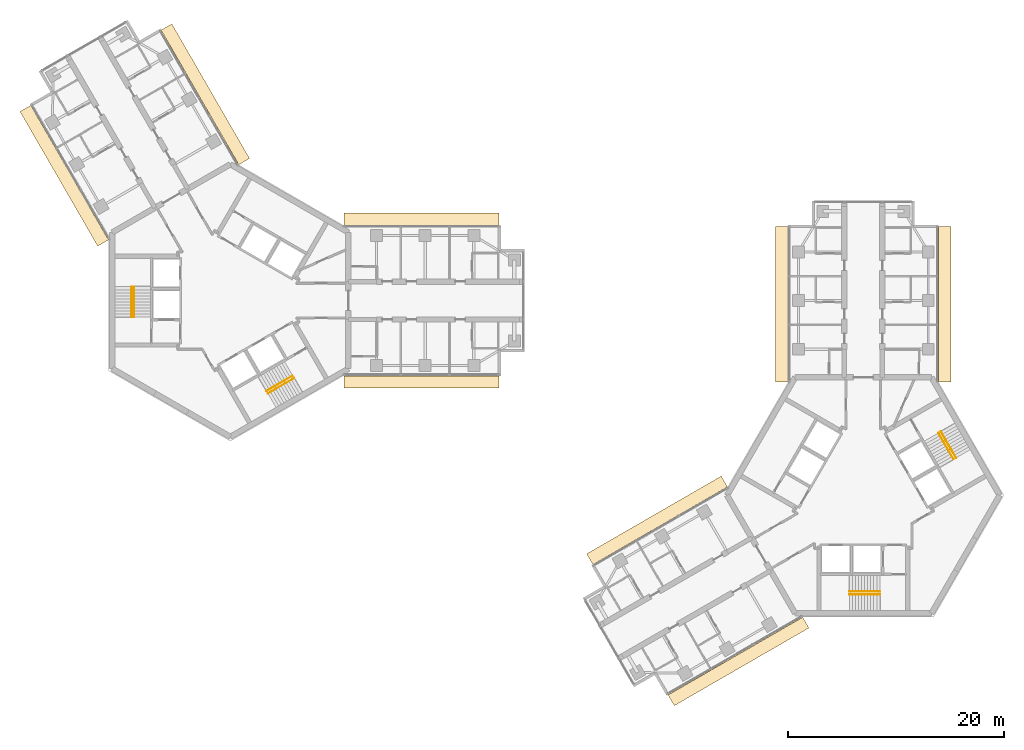
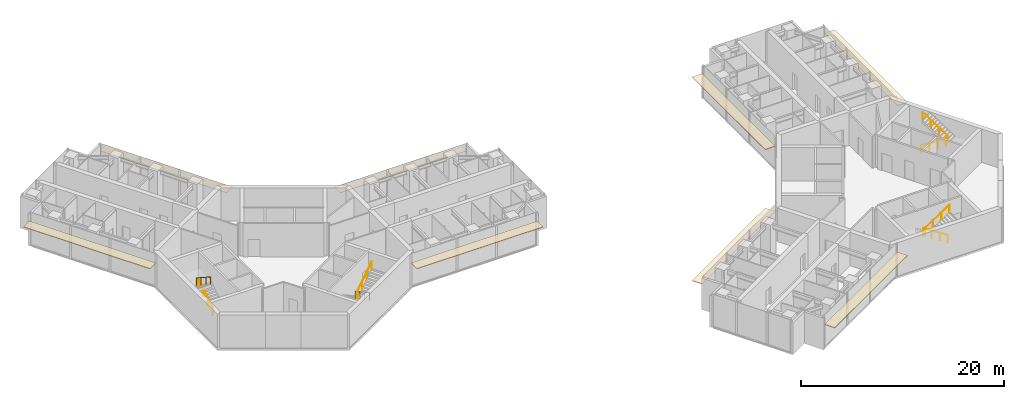
# One storey, part 18 of 18: 8 coverings, 8 railings.
"""IFC4 building model written with IfcOpenShell, lengths in metres."""

from ifc_helpers import new_model, si_unit, direction, frame, origin, origin_2d, place, context, subcontext, project, spatial, rectangle, circle, extrude, material, layer, layer_set, type_object, element, save


model = new_model("IFC4")

# Units and contexts
model_context = context("Model", 3, precision=1e-05, world=origin(), true_north=direction((0.0, 1.0)))
body_context = subcontext(model_context, "Body", "Model", "MODEL_VIEW")
ifc_project = project(units=[si_unit("LENGTHUNIT", "METRE"), si_unit("AREAUNIT", "SQUARE_METRE"), si_unit("VOLUMEUNIT", "CUBIC_METRE"), si_unit("PLANEANGLEUNIT", "RADIAN"), si_unit("MASSUNIT", "GRAM", prefix="KILO")], contexts=[model_context])

# Site, building, storey
site_placement = place(None, origin())
site = spatial("IfcSite", under=ifc_project, at=site_placement, CompositionType="ELEMENT")
building_placement = place(site_placement, origin())
building = spatial("IfcBuilding", under=site, at=building_placement, Name="Upepo Twin Towers", CompositionType="ELEMENT")
storey_placement = place(building_placement, frame((0.0, 0.0, 222.5)))
storey = spatial("IfcBuildingStorey", under=building, at=storey_placement, Name="L54", CompositionType="ELEMENT", Elevation=222.5)

# Coverings
ifc_material_1 = material(Name="Anodised aluminium, pale silver", Category="aluminium")
ifc_layer = layer(ifc_material_1, 0.080078125)
ifc_layer_set = layer_set([ifc_layer], Name="Brise-soleil blade 1150 pale aluminium")
covering_type = type_object("IfcCoveringType", Name="Brise-soleil blade 1150 pale aluminium", PredefinedType="USERDEFINED", material=ifc_layer_set)
for number, where, z_axis, x_axis, name in (
    (1, (17.66845703125, 7.527587890625, 2.909912109375), (0.0, 0.0, 1.0), (1.0, 0.0, 0.0), "T1 L54 wing A brise-soleil L"),
    (2, (17.66845703125, -7.527587890625, 2.909912109375), (0.0, 0.0, 1.0), (1.0, 0.0, 0.0), "T1 L54 wing A brise-soleil R"),
    (3, (-15.353271484375, 11.53759765625, 2.909912109375), (0.0, 0.0, 1.0), (-0.50000003023, 0.866025386331, 0.0), "T1 L54 wing B brise-soleil L"),
    (4, (-2.315185546875, 19.065185546875, 2.909912109375), (0.0, 0.0, 1.0), (-0.50000003023, 0.866025386331, 0.0), "T1 L54 wing B brise-soleil R"),
    (5, (50.972412109375, -0.33154296875, 2.909912109375), (0.0, 0.0, 1.0), (0.0, 1.0, 0.0), "T2 L54 wing A brise-soleil L"),
    (6, (66.027587890625, -0.33154296875, 2.909912109375), (0.0, 0.0, 1.0), (0.0, 1.0, 0.0), "T2 L54 wing A brise-soleil R"),
    (7, (46.96240234375, -33.353271484375, 2.909912109375), (0.0, 0.0, 1.0), (-0.866025386331, -0.50000003023, 0.0), "T2 L54 wing B brise-soleil L"),
    (8, (39.434814453125, -20.315185546875, 2.909912109375), (0.0, 0.0, 1.0), (-0.866025386331, -0.50000003023, 0.0), "T2 L54 wing B brise-soleil R"),
):
    element("IfcCovering", number, at=place(storey_placement, frame(where, z_axis=z_axis, x_axis=x_axis)), inside=storey, type_object=covering_type, Name=name, ObjectType="SUNSHADE", PredefinedType="USERDEFINED", context=body_context, shape_type="SweptSolid", body=[
        extrude(rectangle(XDim=14.36279296875, YDim=1.14990234375, at=origin_2d()), origin(), (0.0, 0.0, 1.0), 0.080078125),
    ])

# Railings
ifc_material_2 = material(Name="Stainless steel", Category="steel")
railing_type = type_object("IfcRailingType", Name="Stair handrail 900", PredefinedType="HANDRAIL", material=ifc_material_2)
railing_1_placement = place(storey_placement, frame((-8.89990234375, -1.52001953125, 0.181884765625)))
element("IfcRailing", 9, at=railing_1_placement, inside=storey, type_object=railing_type, Name="T1 stair S1 L54 handrail 1", PredefinedType="HANDRAIL", context=body_context, shape_type="SweptSolid", body=[
    extrude(circle(Radius=0.02392578125, at=origin_2d()), frame((0.0, 0.0, 0.8759765625), z_axis=(0.0, 0.838705829183, 0.544584733623), x_axis=(-1.0, 0.0, 0.0)), (0.0, 0.0, 1.0), 3.338623046875),
    extrude(circle(Radius=0.02099609375, at=origin_2d()), origin(), (0.0, 0.0, 1.0), 0.851806640625),
    extrude(circle(Radius=0.02099609375, at=origin_2d()), frame((0.0, 0.933349609375, 0.60595703125)), (0.0, 0.0, 1.0), 0.851806640625),
    extrude(circle(Radius=0.02099609375, at=origin_2d()), frame((0.0, 1.86669921875, 1.212158203125)), (0.0, 0.0, 1.0), 0.851806640625),
    extrude(circle(Radius=0.02099609375, at=origin_2d()), frame((0.0, 2.800048828125, 1.818115234375)), (0.0, 0.0, 1.0), 0.851806640625),
])
railing_2_placement = place(storey_placement, frame((-9.158447265625, 1.280029296875, 2.181884765625)))
element("IfcRailing", 10, at=railing_2_placement, inside=storey, type_object=railing_type, Name="T1 stair S1 L54 handrail 2", PredefinedType="HANDRAIL", context=body_context, shape_type="SweptSolid", body=[
    extrude(circle(Radius=0.02392578125, at=origin_2d()), frame((0.0, 0.0, 0.8759765625), z_axis=(0.0, -0.838705829183, 0.544584733623), x_axis=(1.0, 0.0, 0.0)), (0.0, 0.0, 1.0), 3.338623046875),
    extrude(circle(Radius=0.02099609375, at=origin_2d()), origin(), (0.0, 0.0, 1.0), 0.851806640625),
    extrude(circle(Radius=0.02099609375, at=origin_2d()), frame((0.0, -0.933349609375, 0.60595703125)), (0.0, 0.0, 1.0), 0.851806640625),
    extrude(circle(Radius=0.02099609375, at=origin_2d()), frame((0.0, -1.86669921875, 1.212158203125)), (0.0, 0.0, 1.0), 0.851806640625),
    extrude(circle(Radius=0.02099609375, at=origin_2d()), frame((0.0, -2.800048828125, 1.818115234375)), (0.0, 0.0, 1.0), 0.851806640625),
])
railing_3_placement = place(storey_placement, frame((5.766357421875, -6.947509765625, 0.181884765625)))
element("IfcRailing", 11, at=railing_3_placement, inside=storey, type_object=railing_type, Name="T1 stair S2 L54 handrail 1", PredefinedType="HANDRAIL", context=body_context, shape_type="SweptSolid", body=[
    extrude(circle(Radius=0.02392578125, at=origin_2d()), frame((0.0, 0.0, 0.8759765625), z_axis=(-0.726314030065, -0.419392968428, 0.544589265193), x_axis=(0.500049511043, -0.865996816683, 0.0)), (0.0, 0.0, 1.0), 3.338623046875),
    extrude(circle(Radius=0.02099609375, at=origin_2d()), origin(), (0.0, 0.0, 1.0), 0.851806640625),
    extrude(circle(Radius=0.02099609375, at=origin_2d()), frame((-0.808349609375, -0.466796875, 0.60595703125)), (0.0, 0.0, 1.0), 0.851806640625),
    extrude(circle(Radius=0.02099609375, at=origin_2d()), frame((-1.616455078125, -0.933349609375, 1.212158203125)), (0.0, 0.0, 1.0), 0.851806640625),
    extrude(circle(Radius=0.02099609375, at=origin_2d()), frame((-2.4248046875, -1.400146484375, 1.818115234375)), (0.0, 0.0, 1.0), 0.851806640625),
])
railing_4_placement = place(storey_placement, frame((3.470703125, -8.5712890625, 2.181884765625)))
element("IfcRailing", 12, at=railing_4_placement, inside=storey, type_object=railing_type, Name="T1 stair S2 L54 handrail 2", PredefinedType="HANDRAIL", context=body_context, shape_type="SweptSolid", body=[
    extrude(circle(Radius=0.02392578125, at=origin_2d()), frame((0.0, 0.0, 0.8759765625), z_axis=(0.726336304947, 0.419332699614, 0.544605966869), x_axis=(-0.49998411664, 0.866034573852, 0.0)), (0.0, 0.0, 1.0), 3.33837890625),
    extrude(circle(Radius=0.02099609375, at=origin_2d()), origin(), (0.0, 0.0, 1.0), 0.851806640625),
    extrude(circle(Radius=0.02099609375, at=origin_2d()), frame((0.808349609375, 0.466552734375, 0.60595703125)), (0.0, 0.0, 1.0), 0.851806640625),
    extrude(circle(Radius=0.02099609375, at=origin_2d()), frame((1.616455078125, 0.933349609375, 1.212158203125)), (0.0, 0.0, 1.0), 0.851806640625),
    extrude(circle(Radius=0.02099609375, at=origin_2d()), frame((2.4248046875, 1.39990234375, 1.818115234375)), (0.0, 0.0, 1.0), 0.851806640625),
])
railing_5_placement = place(storey_placement, frame((60.02001953125, -26.89990234375, 0.181884765625)))
element("IfcRailing", 13, at=railing_5_placement, inside=storey, type_object=railing_type, Name="T2 stair S1 L54 handrail 1", PredefinedType="HANDRAIL", context=body_context, shape_type="SweptSolid", body=[
    extrude(circle(Radius=0.02392578125, at=origin_2d()), frame((0.0, 0.0, 0.8759765625), z_axis=(-0.838705829183, 0.0, 0.544584733623), x_axis=(0.0, -1.0, 0.0)), (0.0, 0.0, 1.0), 3.338623046875),
    extrude(circle(Radius=0.02099609375, at=origin_2d()), origin(), (0.0, 0.0, 1.0), 0.851806640625),
    extrude(circle(Radius=0.02099609375, at=origin_2d()), frame((-0.933349609375, 0.0, 0.60595703125)), (0.0, 0.0, 1.0), 0.851806640625),
    extrude(circle(Radius=0.02099609375, at=origin_2d()), frame((-1.86669921875, 0.0, 1.212158203125)), (0.0, 0.0, 1.0), 0.851806640625),
    extrude(circle(Radius=0.02099609375, at=origin_2d()), frame((-2.800048828125, 0.0, 1.818115234375)), (0.0, 0.0, 1.0), 0.851806640625),
])
railing_6_placement = place(storey_placement, frame((57.219970703125, -27.158447265625, 2.181884765625)))
element("IfcRailing", 14, at=railing_6_placement, inside=storey, type_object=railing_type, Name="T2 stair S1 L54 handrail 2", PredefinedType="HANDRAIL", context=body_context, shape_type="SweptSolid", body=[
    extrude(circle(Radius=0.02392578125, at=origin_2d()), frame((0.0, 0.0, 0.8759765625), z_axis=(0.838705829183, 0.0, 0.544584733623), x_axis=(0.0, 1.0, 0.0)), (0.0, 0.0, 1.0), 3.338623046875),
    extrude(circle(Radius=0.02099609375, at=origin_2d()), origin(), (0.0, 0.0, 1.0), 0.851806640625),
    extrude(circle(Radius=0.02099609375, at=origin_2d()), frame((0.933349609375, 0.0, 0.60595703125)), (0.0, 0.0, 1.0), 0.851806640625),
    extrude(circle(Radius=0.02099609375, at=origin_2d()), frame((1.86669921875, 0.0, 1.212158203125)), (0.0, 0.0, 1.0), 0.851806640625),
    extrude(circle(Radius=0.02099609375, at=origin_2d()), frame((2.800048828125, 0.0, 1.818115234375)), (0.0, 0.0, 1.0), 0.851806640625),
])
railing_7_placement = place(storey_placement, frame((65.447509765625, -12.233642578125, 0.181884765625)))
element("IfcRailing", 15, at=railing_7_placement, inside=storey, type_object=railing_type, Name="T2 stair S2 L54 handrail 1", PredefinedType="HANDRAIL", context=body_context, shape_type="SweptSolid", body=[
    extrude(circle(Radius=0.02392578125, at=origin_2d()), frame((0.0, 0.0, 0.8759765625), z_axis=(0.419392968428, -0.726314030065, 0.544589265193), x_axis=(0.865996816683, 0.500049511043, 0.0)), (0.0, 0.0, 1.0), 3.338623046875),
    extrude(circle(Radius=0.02099609375, at=origin_2d()), origin(), (0.0, 0.0, 1.0), 0.851806640625),
    extrude(circle(Radius=0.02099609375, at=origin_2d()), frame((0.466796875, -0.808349609375, 0.60595703125)), (0.0, 0.0, 1.0), 0.851806640625),
    extrude(circle(Radius=0.02099609375, at=origin_2d()), frame((0.933349609375, -1.616455078125, 1.212158203125)), (0.0, 0.0, 1.0), 0.851806640625),
    extrude(circle(Radius=0.02099609375, at=origin_2d()), frame((1.400146484375, -2.4248046875, 1.818115234375)), (0.0, 0.0, 1.0), 0.851806640625),
])
railing_8_placement = place(storey_placement, frame((67.0712890625, -14.529296875, 2.181884765625)))
element("IfcRailing", 16, at=railing_8_placement, inside=storey, type_object=railing_type, Name="T2 stair S2 L54 handrail 2", PredefinedType="HANDRAIL", context=body_context, shape_type="SweptSolid", body=[
    extrude(circle(Radius=0.02392578125, at=origin_2d()), frame((0.0, 0.0, 0.8759765625), z_axis=(-0.419332699614, 0.726336304947, 0.544605966869), x_axis=(-0.866034573852, -0.49998411664, 0.0)), (0.0, 0.0, 1.0), 3.33837890625),
    extrude(circle(Radius=0.02099609375, at=origin_2d()), origin(), (0.0, 0.0, 1.0), 0.851806640625),
    extrude(circle(Radius=0.02099609375, at=origin_2d()), frame((-0.466552734375, 0.808349609375, 0.60595703125)), (0.0, 0.0, 1.0), 0.851806640625),
    extrude(circle(Radius=0.02099609375, at=origin_2d()), frame((-0.933349609375, 1.616455078125, 1.212158203125)), (0.0, 0.0, 1.0), 0.851806640625),
    extrude(circle(Radius=0.02099609375, at=origin_2d()), frame((-1.39990234375, 2.4248046875, 1.818115234375)), (0.0, 0.0, 1.0), 0.851806640625),
])

save(model, "model.ifc")
